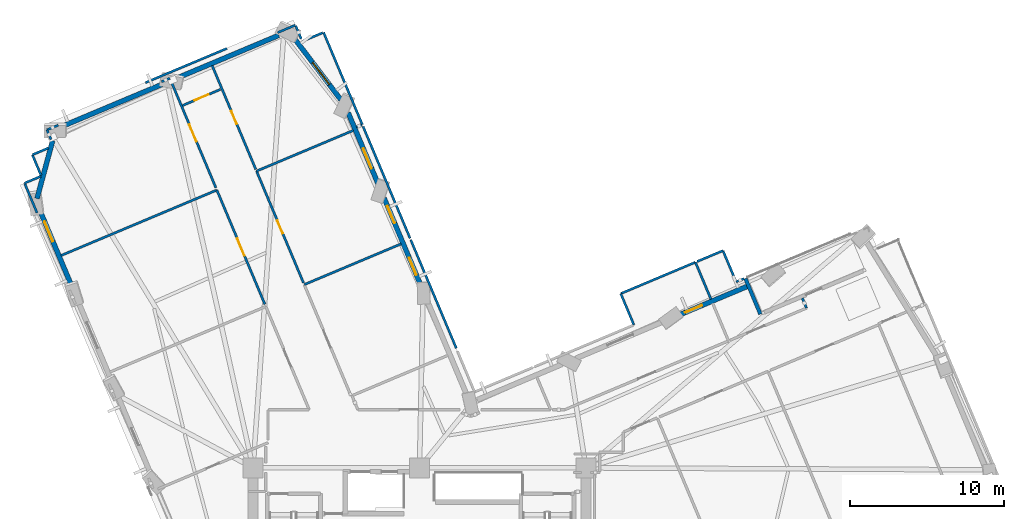
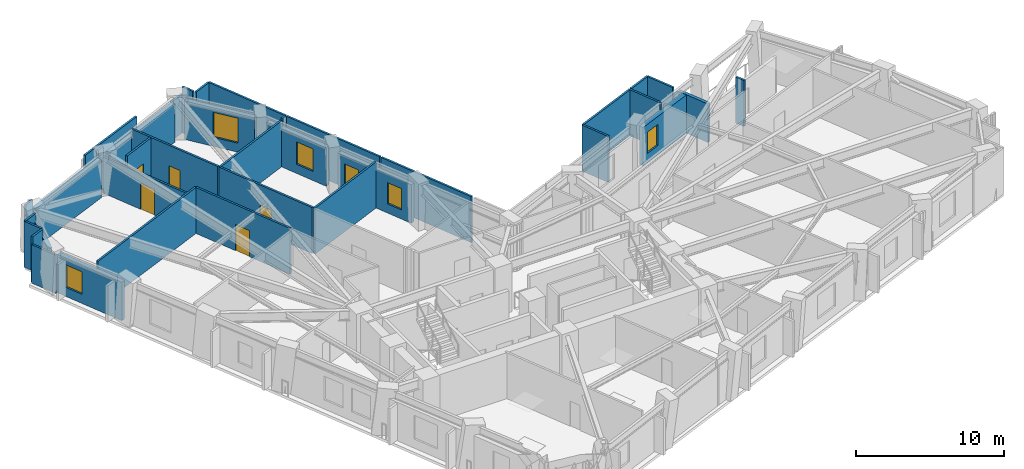
# One storey, part 13 of 18: 39 walls, 6 windows, 5 doors, 11 openings.
"""IFC4 building model written with IfcOpenShell, lengths in metres."""

from ifc_helpers import new_model, si_unit, direction, frame, frame_2d, origin, place, context, subcontext, project, spatial, rectangle, extrude, material, layer, layer_set, type_object, element, fill, save


model = new_model("IFC4")

# Units and contexts
model_context = context("Model", 3, precision=1e-05, world=origin(), true_north=direction((0.0, 1.0)))
body_context = subcontext(model_context, "Body", "Model", "MODEL_VIEW")
ifc_project = project(units=[si_unit("LENGTHUNIT", "METRE"), si_unit("AREAUNIT", "SQUARE_METRE"), si_unit("VOLUMEUNIT", "CUBIC_METRE"), si_unit("PLANEANGLEUNIT", "RADIAN"), si_unit("MASSUNIT", "GRAM", prefix="KILO")], contexts=[model_context])

# Site, building, storey
site_placement = place(None, origin())
site = spatial("IfcSite", under=ifc_project, at=site_placement, CompositionType="ELEMENT")
building_placement = place(site_placement, origin())
building = spatial("IfcBuilding", under=site, at=building_placement, Name="Gaonmaruhae Medical Tower", CompositionType="ELEMENT")
storey_placement = place(building_placement, frame((0.0, 0.0, 120.39990234375)))
storey = spatial("IfcBuildingStorey", under=building, at=storey_placement, Name="L28", CompositionType="ELEMENT", Elevation=120.39990234375)

# Wall
ifc_material_1 = material(Name="Precast concrete C45/55", Category="concrete")
ifc_layer_1 = layer(ifc_material_1, 0.239990234375)
ifc_layer_set_1 = layer_set([ifc_layer_1], Name="Precast concrete C45/55")
wall_type_1 = type_object("IfcWallType", Name="EW-240 Ribbon & Shelter Insulated Precast Wall", PredefinedType="SOLIDWALL", material=ifc_layer_set_1)
wall_1_placement = place(storey_placement, frame((45.9521484375, 29.081298828125, 0.0), z_axis=(0.0, 0.0, 1.0), x_axis=(0.387498107924, -0.92187049869, 0.0)))
element("IfcWall", 1, at=wall_1_placement, inside=storey, type_object=wall_type_1, Name="L28 Recessed Terrace Enclosure Wall TERL", PredefinedType="SOLIDWALL", context=body_context, shape_type="SweptSolid", body=[
    extrude(rectangle(XDim=2.5, YDim=0.239990234375, at=frame_2d((1.25, 0.0))), origin(), (0.0, 0.0, 1.0), 3.1650390625),
])

# Wall, opening, window
ifc_layer_2 = layer(ifc_material_1, 0.320068359375)
ifc_layer_set_2 = layer_set([ifc_layer_2], Name="Precast concrete C45/55")
wall_type_2 = type_object("IfcWallType", Name="EW-320 Lower Precast Masonry-Frame Facade Wall", PredefinedType="SOLIDWALL", material=ifc_layer_set_2)
wall_2_placement = place(storey_placement, frame((41.593017578125, 26.695556640625, 0.0), z_axis=(0.0, 0.0, 1.0), x_axis=(0.921864853688, 0.387511537292, 0.0)))
wall_2 = element("IfcWall", 2, at=wall_2_placement, inside=storey, type_object=wall_type_2, Name="L28 Precast Masonry-Frame Wall EN01-EN02", PredefinedType="SOLIDWALL", context=body_context, shape_type="SweptSolid", body=[
    extrude(rectangle(XDim=4.923095703125, YDim=0.320068359375, at=frame_2d((2.46142578125, 0.0))), origin(), (0.0, 0.0, 1.0), 3.14501953125),
])
opening_1_placement = place(wall_2_placement, frame((0.4765625, 0.0, 0.75)))
opening_1 = element("IfcOpeningElement", 3, at=opening_1_placement, cuts=wall_2, Name="Opening WN-05", PredefinedType="OPENING", context=body_context, shape_type="SweptSolid", body=[
    extrude(rectangle(XDim=1.199951171875, YDim=1.75, at=frame_2d((0.60009765625, 0.875))), frame((0.0, 0.169921875, 0.0), z_axis=(0.0, -1.0, 0.0), x_axis=(1.0, 0.0, 0.0)), (0.0, 0.0, 1.0), 0.340087890625),
])
ifc_material_2 = material(Name="Anodised aluminium and Low-E double glazing", Category="aluminium")
window_type_1 = type_object("IfcWindowType", Name="WN-05 Support & Staff Punched Window 1200x1750", PartitioningType="SINGLE_PANEL", PredefinedType="WINDOW", material=ifc_material_2)
window_1_placement = place(opening_1_placement, origin())
window_1 = element("IfcWindow", 4, at=window_1_placement, inside=storey, type_object=window_type_1, Name="L28 Modular Facade Window EN01", OverallHeight=1.75, OverallWidth=1.199951171875, PartitioningType="SINGLE_PANEL", PredefinedType="WINDOW", context=body_context, shape_type="SweptSolid", body=[
    extrude(rectangle(XDim=1.199951171875, YDim=1.75, at=frame_2d((0.60009765625, 0.875))), frame((0.0, 0.030029296875, 0.0), z_axis=(0.0, -1.0, 0.0), x_axis=(1.0, 0.0, 0.0)), (0.0, 0.0, 1.0), 0.06005859375),
])
fill(opening_1, window_1)

# Wall, openings, windows
wall_3_placement = place(storey_placement, frame((22.500244140625, 34.302490234375, 0.0), z_axis=(0.0, 0.0, 1.0), x_axis=(0.387521956869, -0.921860473686, 0.0)))
wall_3 = element("IfcWall", 5, at=wall_3_placement, inside=storey, type_object=wall_type_2, Name="L28 Precast Masonry-Frame Wall NE01-NE02", PredefinedType="SOLIDWALL", context=body_context, shape_type="SweptSolid", body=[
    extrude(rectangle(XDim=6.22265625, YDim=0.320068359375, at=frame_2d((3.111328125, 0.0))), origin(), (0.0, 0.0, 1.0), 3.1650390625),
])
opening_2_placement = place(wall_3_placement, frame((4.198974609375, 0.0, 0.75)))
opening_2 = element("IfcOpeningElement", 6, at=opening_2_placement, cuts=wall_3, Name="Opening WN-05", PredefinedType="OPENING", context=body_context, shape_type="SweptSolid", body=[
    extrude(rectangle(XDim=1.199951171875, YDim=1.75, at=frame_2d((0.60009765625, 0.875))), frame((0.0, 0.169921875, 0.0), z_axis=(0.0, -1.0, 0.0), x_axis=(1.0, 0.0, 0.0)), (0.0, 0.0, 1.0), 0.340087890625),
])
opening_3_placement = place(wall_3_placement, frame((0.561279296875, 0.0, 0.75)))
opening_3 = element("IfcOpeningElement", 7, at=opening_3_placement, cuts=wall_3, Name="Opening WN-05", PredefinedType="OPENING", context=body_context, shape_type="SweptSolid", body=[
    extrude(rectangle(XDim=1.199951171875, YDim=1.75, at=frame_2d((0.60009765625, 0.875))), frame((0.0, 0.169921875, 0.0), z_axis=(0.0, -1.0, 0.0), x_axis=(1.0, 0.0, 0.0)), (0.0, 0.0, 1.0), 0.340087890625),
])
window_2_placement = place(opening_2_placement, origin())
window_2 = element("IfcWindow", 8, at=window_2_placement, inside=storey, type_object=window_type_1, Name="L28 Modular Facade Window NE01", OverallHeight=1.75, OverallWidth=1.199951171875, PartitioningType="SINGLE_PANEL", PredefinedType="WINDOW", context=body_context, shape_type="SweptSolid", body=[
    extrude(rectangle(XDim=1.199951171875, YDim=1.75, at=frame_2d((0.60009765625, 0.875))), frame((0.0, 0.030029296875, 0.0), z_axis=(0.0, -1.0, 0.0), x_axis=(1.0, 0.0, 0.0)), (0.0, 0.0, 1.0), 0.06005859375),
])
fill(opening_2, window_2)
window_3_placement = place(opening_3_placement, origin())
window_3 = element("IfcWindow", 9, at=window_3_placement, inside=storey, type_object=window_type_1, Name="L28 Modular Facade Window NE01B", OverallHeight=1.75, OverallWidth=1.199951171875, PartitioningType="SINGLE_PANEL", PredefinedType="WINDOW", context=body_context, shape_type="SweptSolid", body=[
    extrude(rectangle(XDim=1.199951171875, YDim=1.75, at=frame_2d((0.60009765625, 0.875))), frame((0.0, 0.030029296875, 0.0), z_axis=(0.0, -1.0, 0.0), x_axis=(1.0, 0.0, 0.0)), (0.0, 0.0, 1.0), 0.06005859375),
])
fill(opening_3, window_3)

# Wall, opening, window
wall_4_placement = place(storey_placement, frame((20.169921875, 39.8466796875, 0.0), z_axis=(0.0, 0.0, 1.0), x_axis=(0.387505493495, -0.921867394212, 0.0)))
wall_4 = element("IfcWall", 10, at=wall_4_placement, inside=storey, type_object=wall_type_2, Name="L28 Precast Masonry-Frame Wall NE02-NE03", PredefinedType="SOLIDWALL", context=body_context, shape_type="SweptSolid", body=[
    extrude(rectangle(XDim=5.047119140625, YDim=0.320068359375, at=frame_2d((2.5234375, 0.0))), origin(), (0.0, 0.0, 1.0), 3.1650390625),
])
opening_4_placement = place(wall_4_placement, frame((2.5205078125, 0.0, 0.75)))
opening_4 = element("IfcOpeningElement", 11, at=opening_4_placement, cuts=wall_4, Name="Opening WN-03", PredefinedType="OPENING", context=body_context, shape_type="SweptSolid", body=[
    extrude(rectangle(XDim=1.39990234375, YDim=1.85009765625, at=frame_2d((0.699951171875, 0.925048828125))), frame((0.0, 0.169921875, 0.0), z_axis=(0.0, -1.0, 0.0), x_axis=(1.0, 0.0, 0.0)), (0.0, 0.0, 1.0), 0.340087890625),
])
window_type_2 = type_object("IfcWindowType", Name="WN-03 Isolation Ward Punched Window 1400x1850", PartitioningType="SINGLE_PANEL", PredefinedType="WINDOW", material=ifc_material_2)
window_4_placement = place(opening_4_placement, origin())
window_4 = element("IfcWindow", 12, at=window_4_placement, inside=storey, type_object=window_type_2, Name="L28 Modular Facade Window NE02", OverallHeight=1.85009765625, OverallWidth=1.39990234375, PartitioningType="SINGLE_PANEL", PredefinedType="WINDOW", context=body_context, shape_type="SweptSolid", body=[
    extrude(rectangle(XDim=1.39990234375, YDim=1.85009765625, at=frame_2d((0.699951171875, 0.925048828125))), frame((0.0, 0.030029296875, 0.0), z_axis=(0.0, -1.0, 0.0), x_axis=(1.0, 0.0, 0.0)), (0.0, 0.0, 1.0), 0.06005859375),
])
fill(opening_4, window_4)

wall_5_placement = place(storey_placement, frame((16.59375, 44.776611328125, 0.0), z_axis=(0.0, 0.0, 1.0), x_axis=(0.604347929442, -0.796720515726, 0.0)))
wall_5 = element("IfcWall", 13, at=wall_5_placement, inside=storey, type_object=wall_type_2, Name="L28 Precast Masonry-Frame Wall NE03-N01", PredefinedType="SOLIDWALL", context=body_context, shape_type="SweptSolid", body=[
    extrude(rectangle(XDim=5.12841796875, YDim=0.320068359375, at=frame_2d((2.564208984375, 0.0))), origin(), (0.0, 0.0, 1.0), 3.1650390625),
])
opening_5_placement = place(wall_5_placement, frame((2.093505859375, 0.0, 0.75)))
opening_5 = element("IfcOpeningElement", 14, at=opening_5_placement, cuts=wall_5, Name="Opening WN-04", PredefinedType="OPENING", context=body_context, shape_type="SweptSolid", body=[
    extrude(rectangle(XDim=1.800048828125, YDim=2.050048828125, at=frame_2d((0.89990234375, 1.02490234375))), frame((0.0, 0.169921875, 0.0), z_axis=(0.0, -1.0, 0.0), x_axis=(1.0, 0.0, 0.0)), (0.0, 0.0, 1.0), 0.340087890625),
])
window_type_3 = type_object("IfcWindowType", Name="WN-04 Clinic & Consult Punched Window 1800x2050", PartitioningType="SINGLE_PANEL", PredefinedType="WINDOW", material=ifc_material_2)
window_5_placement = place(opening_5_placement, origin())
window_5 = element("IfcWindow", 15, at=window_5_placement, inside=storey, type_object=window_type_3, Name="L28 Modular Facade Window NE03", OverallHeight=2.050048828125, OverallWidth=1.800048828125, PartitioningType="SINGLE_PANEL", PredefinedType="WINDOW", context=body_context, shape_type="SweptSolid", body=[
    extrude(rectangle(XDim=1.800048828125, YDim=2.050048828125, at=frame_2d((0.89990234375, 1.02490234375))), frame((0.0, 0.030029296875, 0.0), z_axis=(0.0, -1.0, 0.0), x_axis=(1.0, 0.0, 0.0)), (0.0, 0.0, 1.0), 0.06005859375),
])
fill(opening_5, window_5)

# Walls
wall_6_placement = place(storey_placement, frame((9.00390625, 42.06787109375, 0.0), z_axis=(0.0, 0.0, 1.0), x_axis=(0.921864651892, 0.387512017352, 0.0)))
element("IfcWall", 16, at=wall_6_placement, inside=storey, type_object=wall_type_2, Name="L28 Precast Masonry-Frame Wall N01-N02", PredefinedType="SOLIDWALL", context=body_context, shape_type="SweptSolid", body=[
    extrude(rectangle(XDim=7.230712890625, YDim=0.320068359375, at=frame_2d((3.615234375, 0.0))), origin(), (0.0, 0.0, 1.0), 3.1650390625),
])
wall_7_placement = place(storey_placement, frame((1.422119140625, 38.880859375, 0.0), z_axis=(0.0, 0.0, 1.0), x_axis=(0.921872247249, 0.387493948019, 0.0)))
element("IfcWall", 17, at=wall_7_placement, inside=storey, type_object=wall_type_2, Name="L28 Precast Masonry-Frame Wall N02-N03", PredefinedType="SOLIDWALL", context=body_context, shape_type="SweptSolid", body=[
    extrude(rectangle(XDim=7.270263671875, YDim=0.320068359375, at=frame_2d((3.63525390625, 0.0))), origin(), (0.0, 0.0, 1.0), 3.1650390625),
])
wall_8_placement = place(storey_placement, frame((-0.021484375, 34.2744140625, 0.0), z_axis=(0.0, 0.0, 1.0), x_axis=(0.260923253486, 0.965359547418, 0.0)))
element("IfcWall", 18, at=wall_8_placement, inside=storey, type_object=wall_type_2, Name="L28 Precast Masonry-Frame Wall N03-W01", PredefinedType="SOLIDWALL", context=body_context, shape_type="SweptSolid", body=[
    extrude(rectangle(XDim=3.8896484375, YDim=0.320068359375, at=frame_2d((1.94482421875, 0.0))), origin(), (0.0, 0.0, 1.0), 3.1650390625),
])

# Wall, opening, window
wall_9_placement = place(storey_placement, frame((2.306884765625, 28.4072265625, 0.0), z_axis=(0.0, 0.0, 1.0), x_axis=(-0.387498752524, 0.921870227739, 0.0)))
wall_9 = element("IfcWall", 19, at=wall_9_placement, inside=storey, type_object=wall_type_2, Name="L28 Precast Masonry-Frame Wall W01-W02", PredefinedType="SOLIDWALL", context=body_context, shape_type="SweptSolid", body=[
    extrude(rectangle(XDim=5.45556640625, YDim=0.320068359375, at=frame_2d((2.727783203125, 0.0))), origin(), (0.0, 0.0, 1.0), 3.1650390625),
])
opening_6_placement = place(wall_9_placement, frame((3.353759765625, 0.0, 0.75)))
opening_6 = element("IfcOpeningElement", 20, at=opening_6_placement, cuts=wall_9, Name="Opening WN-03", PredefinedType="OPENING", context=body_context, shape_type="SweptSolid", body=[
    extrude(rectangle(XDim=1.39990234375, YDim=1.85009765625, at=frame_2d((0.699951171875, 0.925048828125))), frame((0.0, 0.169921875, 0.0), z_axis=(0.0, -1.0, 0.0), x_axis=(1.0, 0.0, 0.0)), (0.0, 0.0, 1.0), 0.340087890625),
])
window_6_placement = place(opening_6_placement, origin())
window_6 = element("IfcWindow", 21, at=window_6_placement, inside=storey, type_object=window_type_2, Name="L28 Modular Facade Window W01", OverallHeight=1.85009765625, OverallWidth=1.39990234375, PartitioningType="SINGLE_PANEL", PredefinedType="WINDOW", context=body_context, shape_type="SweptSolid", body=[
    extrude(rectangle(XDim=1.39990234375, YDim=1.85009765625, at=frame_2d((0.699951171875, 0.925048828125))), frame((0.0, 0.030029296875, 0.0), z_axis=(0.0, -1.0, 0.0), x_axis=(1.0, 0.0, 0.0)), (0.0, 0.0, 1.0), 0.06005859375),
])
fill(opening_6, window_6)

# Wall
ifc_material_3 = material(Name="Gypsum board partition", Category="gypsum")
ifc_layer_3 = layer(ifc_material_3, 0.14990234375)
ifc_layer_set_3 = layer_set([ifc_layer_3], Name="Gypsum board partition")
wall_type_3 = type_object("IfcWallType", Name="PW-150 Rated Clinical Corridor Partition", PredefinedType="PARTITIONING", material=ifc_layer_set_3)
wall_10_placement = place(storey_placement, frame((1.541015625, 30.5791015625, 0.0), z_axis=(0.0, 0.0, 1.0), x_axis=(0.921901315363, 0.387424785904, 0.0)))
element("IfcWall", 22, at=wall_10_placement, inside=storey, type_object=wall_type_3, Name="L28 Interior Partition L28-WOF09-49", PredefinedType="PARTITIONING", context=body_context, shape_type="SweptSolid", body=[
    extrude(rectangle(XDim=10.964111328125, YDim=0.14990234375, at=frame_2d((5.48193359375, 0.0))), origin(), (0.0, 0.0, 1.0), 3.780029296875),
])

# Wall, opening, door
wall_11_placement = place(storey_placement, frame((11.64892578125, 34.826904296875, 0.0), z_axis=(0.0, 0.0, 1.0), x_axis=(0.387547881375, -0.921849575387, 0.0)))
wall_11 = element("IfcWall", 23, at=wall_11_placement, inside=storey, type_object=wall_type_3, Name="L28 Interior Partition L28-WOF09-50", PredefinedType="PARTITIONING", context=body_context, shape_type="SweptSolid", body=[
    extrude(rectangle(XDim=8.040283203125, YDim=0.14990234375, at=frame_2d((4.02001953125, 0.0))), origin(), (0.0, 0.0, 1.0), 3.780029296875),
])
opening_7_placement = place(wall_11_placement, frame((3.420166015625, 0.0, 0.0)))
opening_7 = element("IfcOpeningElement", 24, at=opening_7_placement, cuts=wall_11, Name="Opening CD-02", PredefinedType="OPENING", context=body_context, shape_type="SweptSolid", body=[
    extrude(rectangle(XDim=1.199951171875, YDim=2.14990234375, at=frame_2d((0.60009765625, 1.074951171875))), frame((0.0, 0.0849609375, 0.0), z_axis=(0.0, -1.0, 0.0), x_axis=(1.0, 0.0, 0.0)), (0.0, 0.0, 1.0), 0.169921875),
])
ifc_material_4 = material(Name="Antimicrobial laminate timber fire door", Category="wood")
door_type_1 = type_object("IfcDoorType", Name="CD-02 Clinical Treatment & Procedure Door 1200x2150", OperationType="NOTDEFINED", PredefinedType="DOOR", material=ifc_material_4)
door_1_placement = place(opening_7_placement, origin())
door_1 = element("IfcDoor", 25, at=door_1_placement, inside=storey, type_object=door_type_1, Name="L28 Ward Physician Reporting Office Door", OperationType="SINGLE_SWING_RIGHT", OverallHeight=2.14990234375, OverallWidth=1.199951171875, PredefinedType="DOOR", context=body_context, shape_type="SweptSolid", body=[
    extrude(rectangle(XDim=1.199951171875, YDim=2.14990234375, at=frame_2d((0.60009765625, 1.074951171875))), frame((0.0, 0.02490234375, 0.0), z_axis=(0.0, -1.0, 0.0), x_axis=(1.0, 0.0, 0.0)), (0.0, 0.0, 1.0), 0.050048828125),
])
fill(opening_7, door_1)

# Walls
wall_12_placement = place(storey_placement, frame((-0.323974609375, 37.115966796875, 0.0), z_axis=(0.0, 0.0, 1.0), x_axis=(0.921631341525, 0.388066579749, 0.0)))
element("IfcWall", 26, at=wall_12_placement, inside=storey, type_object=wall_type_3, Name="L28 Interior Partition L28-WOF10-52", PredefinedType="PARTITIONING", context=body_context, shape_type="SweptSolid", body=[
    extrude(rectangle(XDim=1.139404296875, YDim=0.14990234375, at=frame_2d((0.56982421875, 0.0))), origin(), (0.0, 0.0, 1.0), 3.780029296875),
])
wall_13_placement = place(storey_placement, frame((0.885986328125, 38.110107421875, 0.0), z_axis=(0.0, 0.0, 1.0), x_axis=(-0.388040772023, 0.921642207827, 0.0)))
element("IfcWall", 27, at=wall_13_placement, inside=storey, type_object=wall_type_3, Name="L28 Interior Partition L28-WOF10-53", PredefinedType="PARTITIONING", context=body_context, shape_type="SweptSolid", body=[
    extrude(rectangle(XDim=0.672607421875, YDim=0.14990234375, at=frame_2d((0.33642578125, 0.0))), origin(), (0.0, 0.0, 1.0), 2.965087890625),
])
wall_14_placement = place(storey_placement, frame((0.625, 38.72998046875, 0.0), z_axis=(0.0, 0.0, 1.0), x_axis=(0.92192492909, 0.38736859078, 0.0)))
element("IfcWall", 28, at=wall_14_placement, inside=storey, type_object=wall_type_3, Name="L28 Interior Partition L28-WOF10-54", PredefinedType="PARTITIONING", context=body_context, shape_type="SweptSolid", body=[
    extrude(rectangle(XDim=0.79296875, YDim=0.14990234375, at=frame_2d((0.396484375, 0.0))), origin(), (0.0, 0.0, 1.0), 3.780029296875),
])
wall_15_placement = place(storey_placement, frame((8.05810546875, 41.85498046875, 0.0), z_axis=(0.0, 0.0, 1.0), x_axis=(0.922089032522, 0.386977797945, 0.0)))
element("IfcWall", 29, at=wall_15_placement, inside=storey, type_object=wall_type_3, Name="L28 Interior Partition L28-WOF10-55", PredefinedType="PARTITIONING", context=body_context, shape_type="SweptSolid", body=[
    extrude(rectangle(XDim=0.586669921875, YDim=0.14990234375, at=frame_2d((0.29345703125, 0.0))), origin(), (0.0, 0.0, 1.0), 3.780029296875),
])

# Wall, opening, door
wall_16_placement = place(storey_placement, frame((8.59912109375, 42.08203125, 0.0), z_axis=(0.0, 0.0, 1.0), x_axis=(0.387550108115, -0.921848639257, 0.0)))
wall_16 = element("IfcWall", 30, at=wall_16_placement, inside=storey, type_object=wall_type_3, Name="L28 Interior Partition L28-WOF10-56", PredefinedType="PARTITIONING", context=body_context, shape_type="SweptSolid", body=[
    extrude(rectangle(XDim=7.70947265625, YDim=0.14990234375, at=frame_2d((3.854736328125, 0.0))), origin(), (0.0, 0.0, 1.0), 2.965087890625),
])
opening_8_placement = place(wall_16_placement, frame((3.2548828125, 0.0, 0.0)))
opening_8 = element("IfcOpeningElement", 31, at=opening_8_placement, cuts=wall_16, Name="Opening CD-02", PredefinedType="OPENING", context=body_context, shape_type="SweptSolid", body=[
    extrude(rectangle(XDim=1.199951171875, YDim=2.14990234375, at=frame_2d((0.60009765625, 1.074951171875))), frame((0.0, 0.0849609375, 0.0), z_axis=(0.0, -1.0, 0.0), x_axis=(1.0, 0.0, 0.0)), (0.0, 0.0, 1.0), 0.169921875),
])
door_2_placement = place(opening_8_placement, origin())
door_2 = element("IfcDoor", 32, at=door_2_placement, inside=storey, type_object=door_type_1, Name="L28 Ward Physician Reporting Office Door", OperationType="SINGLE_SWING_RIGHT", OverallHeight=2.14990234375, OverallWidth=1.199951171875, PredefinedType="DOOR", context=body_context, shape_type="SweptSolid", body=[
    extrude(rectangle(XDim=1.199951171875, YDim=2.14990234375, at=frame_2d((0.60009765625, 1.074951171875))), frame((0.0, 0.02490234375, 0.0), z_axis=(0.0, -1.0, 0.0), x_axis=(1.0, 0.0, 0.0)), (0.0, 0.0, 1.0), 0.050048828125),
])
fill(opening_8, door_2)

# Walls
wall_17_placement = place(storey_placement, frame((-0.01904296875, 33.346923828125, 0.0), z_axis=(0.0, 0.0, 1.0), x_axis=(-0.387587512706, 0.921832913273, 0.0)))
element("IfcWall", 33, at=wall_17_placement, inside=storey, type_object=wall_type_3, Name="L28 Interior Partition L28-WOF10-57", PredefinedType="PARTITIONING", context=body_context, shape_type="SweptSolid", body=[
    extrude(rectangle(XDim=2.092529296875, YDim=0.14990234375, at=frame_2d((1.04638671875, 0.0))), origin(), (0.0, 0.0, 1.0), 3.1650390625),
])
wall_18_placement = place(storey_placement, frame((-0.830078125, 35.27587890625, 0.0), z_axis=(0.0, 0.0, 1.0), x_axis=(0.921727254791, 0.387838713612, 0.0)))
element("IfcWall", 34, at=wall_18_placement, inside=storey, type_object=wall_type_3, Name="L28 Interior Partition L28-WOF10-58", PredefinedType="PARTITIONING", context=body_context, shape_type="SweptSolid", body=[
    extrude(rectangle(XDim=1.150146484375, YDim=0.14990234375, at=frame_2d((0.5751953125, 0.0))), origin(), (0.0, 0.0, 1.0), 3.780029296875),
])
wall_19_placement = place(storey_placement, frame((0.242919921875, 35.77001953125, 0.0), z_axis=(0.0, 0.0, 1.0), x_axis=(-0.388161624393, 0.921591315795, 0.0)))
element("IfcWall", 35, at=wall_19_placement, inside=storey, type_object=wall_type_3, Name="L28 Interior Partition L28-WOF10-59", PredefinedType="PARTITIONING", context=body_context, shape_type="SweptSolid", body=[
    extrude(rectangle(XDim=1.46044921875, YDim=0.14990234375, at=frame_2d((0.730224609375, 0.0))), origin(), (0.0, 0.0, 1.0), 3.780029296875),
])
wall_20_placement = place(storey_placement, frame((38.708984375, 26.080078125, 0.0), z_axis=(0.0, 0.0, 1.0), x_axis=(-0.387372119847, 0.921923446261, 0.0)))
element("IfcWall", 36, at=wall_20_placement, inside=storey, type_object=wall_type_3, Name="L28 Interior Partition L28-IE02-70", PredefinedType="PARTITIONING", context=body_context, shape_type="SweptSolid", body=[
    extrude(rectangle(XDim=2.199462890625, YDim=0.14990234375, at=frame_2d((1.099609375, 0.0))), origin(), (0.0, 0.0, 1.0), 3.780029296875),
])
wall_21_placement = place(storey_placement, frame((37.85693359375, 28.10791015625, 0.0), z_axis=(0.0, 0.0, 1.0), x_axis=(0.921827538147, 0.387600296587, 0.0)))
element("IfcWall", 37, at=wall_21_placement, inside=storey, type_object=wall_type_3, Name="L28 Interior Partition L28-IE02-71", PredefinedType="PARTITIONING", context=body_context, shape_type="SweptSolid", body=[
    extrude(rectangle(XDim=5.25830078125, YDim=0.14990234375, at=frame_2d((2.629150390625, 0.0))), origin(), (0.0, 0.0, 1.0), 3.780029296875),
])
wall_22_placement = place(storey_placement, frame((42.7041015625, 30.14599609375, 0.0), z_axis=(0.0, 0.0, 1.0), x_axis=(0.387351522541, -0.921932100529, 0.0)))
element("IfcWall", 38, at=wall_22_placement, inside=storey, type_object=wall_type_3, Name="L28 Interior Partition L28-IE02-72", PredefinedType="PARTITIONING", context=body_context, shape_type="SweptSolid", body=[
    extrude(rectangle(XDim=2.614990234375, YDim=0.14990234375, at=frame_2d((1.3076171875, 0.0))), origin(), (0.0, 0.0, 1.0), 3.780029296875),
])
wall_23_placement = place(storey_placement, frame((49.639892578125, 27.81689453125, 0.0), z_axis=(0.0, 0.0, 1.0), x_axis=(0.388691323375, -0.921368034573, 0.0)))
element("IfcWall", 39, at=wall_23_placement, inside=storey, type_object=wall_type_3, Name="L28 Interior Partition L28-IE03-76", PredefinedType="PARTITIONING", context=body_context, shape_type="SweptSolid", body=[
    extrude(rectangle(XDim=0.705322265625, YDim=0.14990234375, at=frame_2d((0.3525390625, 0.0))), origin(), (0.0, 0.0, 1.0), 3.780029296875),
])
wall_24_placement = place(storey_placement, frame((42.81396484375, 30.19189453125, 0.0), z_axis=(0.0, 0.0, 1.0), x_axis=(0.921887370227, 0.387457967548, 0.0)))
element("IfcWall", 40, at=wall_24_placement, inside=storey, type_object=wall_type_3, Name="L28 Interior Partition L28-IE03-78", PredefinedType="PARTITIONING", context=body_context, shape_type="SweptSolid", body=[
    extrude(rectangle(XDim=1.822265625, YDim=0.14990234375, at=frame_2d((0.9111328125, 0.0))), origin(), (0.0, 0.0, 1.0), 3.780029296875),
])
wall_25_placement = place(storey_placement, frame((44.493896484375, 30.89794921875, 0.0), z_axis=(0.0, 0.0, 1.0), x_axis=(0.387749379691, -0.921764839072, 0.0)))
element("IfcWall", 41, at=wall_25_placement, inside=storey, type_object=wall_type_3, Name="L28 Interior Partition L28-IE03-79", PredefinedType="PARTITIONING", context=body_context, shape_type="SweptSolid", body=[
    extrude(rectangle(XDim=2.199951171875, YDim=0.14990234375, at=frame_2d((1.10009765625, 0.0))), origin(), (0.0, 0.0, 1.0), 3.780029296875),
])
wall_26_placement = place(storey_placement, frame((45.346923828125, 28.8701171875, 0.0), z_axis=(0.0, 0.0, 1.0), x_axis=(0.921568929159, 0.388214771498, 0.0)))
element("IfcWall", 42, at=wall_26_placement, inside=storey, type_object=wall_type_3, Name="L28 Interior Partition L28-IE03-80", PredefinedType="PARTITIONING", context=body_context, shape_type="SweptSolid", body=[
    extrude(rectangle(XDim=0.553466796875, YDim=0.14990234375, at=frame_2d((0.27685546875, 0.0))), origin(), (0.0, 0.0, 1.0), 3.14501953125),
])
wall_27_placement = place(storey_placement, frame((17.320068359375, 28.68994140625, 0.0), z_axis=(0.0, 0.0, 1.0), x_axis=(0.921811932434, 0.387637409473, 0.0)))
element("IfcWall", 43, at=wall_27_placement, inside=storey, type_object=wall_type_3, Name="L28 Interior Partition L28-IN01-82", PredefinedType="PARTITIONING", context=body_context, shape_type="SweptSolid", body=[
    extrude(rectangle(XDim=6.81591796875, YDim=0.14990234375, at=frame_2d((3.407958984375, 0.0))), origin(), (0.0, 0.0, 1.0), 3.780029296875),
])
wall_28_placement = place(storey_placement, frame((24.23388671875, 31.596923828125, 0.0), z_axis=(0.0, 0.0, 1.0), x_axis=(0.387558072008, -0.921845291153, 0.0)))
element("IfcWall", 44, at=wall_28_placement, inside=storey, type_object=wall_type_3, Name="L28 Interior Partition L28-IN01-83", PredefinedType="PARTITIONING", context=body_context, shape_type="SweptSolid", body=[
    extrude(rectangle(XDim=7.635498046875, YDim=0.14990234375, at=frame_2d((3.81787109375, 0.0))), origin(), (0.0, 0.0, 1.0), 3.780029296875),
])

# Wall, opening, door
wall_29_placement = place(storey_placement, frame((17.27392578125, 28.801025390625, 0.0), z_axis=(0.0, 0.0, 1.0), x_axis=(-0.387529923364, 0.921857124775, 0.0)))
wall_29 = element("IfcWall", 45, at=wall_29_placement, inside=storey, type_object=wall_type_3, Name="L28 Interior Partition L28-IN02-84", PredefinedType="PARTITIONING", context=body_context, shape_type="SweptSolid", body=[
    extrude(rectangle(XDim=7.869873046875, YDim=0.14990234375, at=frame_2d((3.93505859375, 0.0))), origin(), (0.0, 0.0, 1.0), 3.780029296875),
])
opening_9_placement = place(wall_29_placement, frame((3.47509765625, 0.0, 0.0)))
opening_9 = element("IfcOpeningElement", 46, at=opening_9_placement, cuts=wall_29, Name="Opening UD-01", PredefinedType="OPENING", context=body_context, shape_type="SweptSolid", body=[
    extrude(rectangle(XDim=0.919921875, YDim=2.10009765625, at=frame_2d((0.4599609375, 1.050048828125))), frame((0.0, 0.0849609375, 0.0), z_axis=(0.0, -1.0, 0.0), x_axis=(1.0, 0.0, 0.0)), (0.0, 0.0, 1.0), 0.169921875),
])
ifc_material_5 = material(Name="Powder-coated steel utility door", Category="steel")
door_type_2 = type_object("IfcDoorType", Name="UD-01 Toilet, Utility & Housekeeping Door 920x2100", OperationType="NOTDEFINED", PredefinedType="DOOR", material=ifc_material_5)
door_3_placement = place(opening_9_placement, origin())
door_3 = element("IfcDoor", 47, at=door_3_placement, inside=storey, type_object=door_type_2, Name="L28 Ward Nutrition Pantry Door", OperationType="SINGLE_SWING_RIGHT", OverallHeight=2.10009765625, OverallWidth=0.919921875, PredefinedType="DOOR", context=body_context, shape_type="SweptSolid", body=[
    extrude(rectangle(XDim=0.919921875, YDim=2.10009765625, at=frame_2d((0.4599609375, 1.050048828125))), frame((0.0, 0.02490234375, 0.0), z_axis=(0.0, -1.0, 0.0), x_axis=(1.0, 0.0, 0.0)), (0.0, 0.0, 1.0), 0.050048828125),
])
fill(opening_9, door_3)

# Walls
wall_30_placement = place(storey_placement, frame((14.22412109375, 36.055908203125, 0.0), z_axis=(0.0, 0.0, 1.0), x_axis=(0.921863124429, 0.387515651062, 0.0)))
element("IfcWall", 48, at=wall_30_placement, inside=storey, type_object=wall_type_3, Name="L28 Interior Partition L28-IN02-85", PredefinedType="PARTITIONING", context=body_context, shape_type="SweptSolid", body=[
    extrude(rectangle(XDim=6.8154296875, YDim=0.14990234375, at=frame_2d((3.40771484375, 0.0))), origin(), (0.0, 0.0, 1.0), 3.780029296875),
])
wall_31_placement = place(storey_placement, frame((21.137939453125, 38.9619140625, 0.0), z_axis=(0.0, 0.0, 1.0), x_axis=(0.387556286233, -0.921846041919, 0.0)))
element("IfcWall", 49, at=wall_31_placement, inside=storey, type_object=wall_type_3, Name="L28 Interior Partition L28-IN02-86", PredefinedType="PARTITIONING", context=body_context, shape_type="SweptSolid", body=[
    extrude(rectangle(XDim=7.869873046875, YDim=0.14990234375, at=frame_2d((3.93505859375, 0.0))), origin(), (0.0, 0.0, 1.0), 3.780029296875),
])
wall_32_placement = place(storey_placement, frame((18.574951171875, 45.06103515625, 0.0), z_axis=(0.0, 0.0, 1.0), x_axis=(0.387509152275, -0.921865856241, 0.0)))
element("IfcWall", 50, at=wall_32_placement, inside=storey, type_object=wall_type_3, Name="L28 Interior Partition L28-IN03-87", PredefinedType="PARTITIONING", context=body_context, shape_type="SweptSolid", body=[
    extrude(rectangle(XDim=6.49560546875, YDim=0.14990234375, at=frame_2d((3.247802734375, 0.0))), origin(), (0.0, 0.0, 1.0), 3.780029296875),
])
wall_33_placement = place(storey_placement, frame((21.0458984375, 39.053955078125, 0.0), z_axis=(0.0, 0.0, 1.0), x_axis=(-0.921647946152, -0.388027142547, 0.0)))
element("IfcWall", 51, at=wall_33_placement, inside=storey, type_object=wall_type_3, Name="L28 Interior Partition L28-IN03-88", PredefinedType="PARTITIONING", context=body_context, shape_type="SweptSolid", body=[
    extrude(rectangle(XDim=0.365478515625, YDim=0.14990234375, at=frame_2d((0.1826171875, 0.0))), origin(), (0.0, 0.0, 1.0), 3.780029296875),
])

# Wall, opening, door
wall_34_placement = place(storey_placement, frame((14.177978515625, 36.1669921875, 0.0), z_axis=(0.0, 0.0, 1.0), x_axis=(-0.387585091444, 0.921833931297, 0.0)))
wall_34 = element("IfcWall", 52, at=wall_34_placement, inside=storey, type_object=wall_type_3, Name="L28 Interior Partition L28-IN03-89", PredefinedType="PARTITIONING", context=body_context, shape_type="SweptSolid", body=[
    extrude(rectangle(XDim=7.309326171875, YDim=0.14990234375, at=frame_2d((3.65478515625, 0.0))), origin(), (0.0, 0.0, 1.0), 3.780029296875),
])
opening_10_placement = place(wall_34_placement, frame((3.194580078125, 0.0, 0.0)))
opening_10 = element("IfcOpeningElement", 53, at=opening_10_placement, cuts=wall_34, Name="Opening UD-01", PredefinedType="OPENING", context=body_context, shape_type="SweptSolid", body=[
    extrude(rectangle(XDim=0.919921875, YDim=2.10009765625, at=frame_2d((0.4599609375, 1.050048828125))), frame((0.0, 0.0849609375, 0.0), z_axis=(0.0, -1.0, 0.0), x_axis=(1.0, 0.0, 0.0)), (0.0, 0.0, 1.0), 0.169921875),
])
door_4_placement = place(opening_10_placement, origin())
door_4 = element("IfcDoor", 54, at=door_4_placement, inside=storey, type_object=door_type_2, Name="L28 Public Visitor Toilet Door", OperationType="SINGLE_SWING_RIGHT", OverallHeight=2.10009765625, OverallWidth=0.919921875, PredefinedType="DOOR", context=body_context, shape_type="SweptSolid", body=[
    extrude(rectangle(XDim=0.919921875, YDim=2.10009765625, at=frame_2d((0.4599609375, 1.050048828125))), frame((0.0, 0.02490234375, 0.0), z_axis=(0.0, -1.0, 0.0), x_axis=(1.0, 0.0, 0.0)), (0.0, 0.0, 1.0), 0.050048828125),
])
fill(opening_10, door_4)

# Walls
wall_35_placement = place(storey_placement, frame((15.595947265625, 45.044921875, 0.0), z_axis=(0.0, 0.0, 1.0), x_axis=(0.92186648398, 0.38750765891, 0.0)))
element("IfcWall", 55, at=wall_35_placement, inside=storey, type_object=wall_type_3, Name="L28 Interior Partition L28-IN03-90", PredefinedType="PARTITIONING", context=body_context, shape_type="SweptSolid", body=[
    extrude(rectangle(XDim=1.251953125, YDim=0.14990234375, at=frame_2d((0.6259765625, 0.0))), origin(), (0.0, 0.0, 1.0), 3.1650390625),
])
wall_36_placement = place(storey_placement, frame((16.76904296875, 45.48388671875, 0.0), z_axis=(0.0, 0.0, 1.0), x_axis=(0.387699355128, -0.921785880795, 0.0)))
element("IfcWall", 56, at=wall_36_placement, inside=storey, type_object=wall_type_3, Name="L28 Interior Partition L28-IN03-91", PredefinedType="PARTITIONING", context=body_context, shape_type="SweptSolid", body=[
    extrude(rectangle(XDim=0.91552734375, YDim=0.14990234375, at=frame_2d((0.457763671875, 0.0))), origin(), (0.0, 0.0, 1.0), 3.780029296875),
])
wall_37_placement = place(storey_placement, frame((17.19189453125, 44.47900390625, 0.0), z_axis=(0.0, 0.0, 1.0), x_axis=(0.921641710071, 0.388041954249, 0.0)))
element("IfcWall", 57, at=wall_37_placement, inside=storey, type_object=wall_type_3, Name="L28 Interior Partition L28-IN03-92", PredefinedType="PARTITIONING", context=body_context, shape_type="SweptSolid", body=[
    extrude(rectangle(XDim=1.450927734375, YDim=0.14990234375, at=frame_2d((0.7255859375, 0.0))), origin(), (0.0, 0.0, 1.0), 3.780029296875),
])
wall_38_placement = place(storey_placement, frame((7.01611328125, 41.797119140625, 0.0), z_axis=(0.0, 0.0, 1.0), x_axis=(0.921904949916, 0.387416137146, 0.0)))
element("IfcWall", 58, at=wall_38_placement, inside=storey, type_object=wall_type_3, Name="L28 Interior Partition L28-RM01-93", PredefinedType="PARTITIONING", context=body_context, shape_type="SweptSolid", body=[
    extrude(rectangle(XDim=5.740234375, YDim=0.14990234375, at=frame_2d((2.8701171875, 0.0))), origin(), (0.0, 0.0, 1.0), 3.780029296875),
])

# Wall, opening, door
wall_39_placement = place(storey_placement, frame((11.885986328125, 41.360107421875, 0.0), z_axis=(0.0, 0.0, 1.0), x_axis=(-0.919847133492, -0.392277008001, 0.0)))
wall_39 = element("IfcWall", 59, at=wall_39_placement, inside=storey, type_object=wall_type_3, Name="L28 Interior Partition L28-RM01-94", PredefinedType="PARTITIONING", context=body_context, shape_type="SweptSolid", body=[
    extrude(rectangle(XDim=2.67431640625, YDim=0.14990234375, at=frame_2d((1.337158203125, 0.0))), origin(), (0.0, 0.0, 1.0), 3.780029296875),
])
opening_11_placement = place(wall_39_placement, frame((0.837158203125, 0.0, 0.0)))
opening_11 = element("IfcOpeningElement", 60, at=opening_11_placement, cuts=wall_39, Name="Opening CD-01", PredefinedType="OPENING", context=body_context, shape_type="SweptSolid", body=[
    extrude(rectangle(XDim=1.0, YDim=2.1201171875, at=frame_2d((0.5, 1.06005859375))), frame((0.0, 0.0849609375, 0.0), z_axis=(0.0, -1.0, 0.0), x_axis=(1.0, 0.0, 0.0)), (0.0, 0.0, 1.0), 0.169921875),
])
door_type_3 = type_object("IfcDoorType", Name="CD-01 Consultation & Physician Office Door 1000x2120", OperationType="NOTDEFINED", PredefinedType="DOOR", material=ifc_material_4)
door_5_placement = place(opening_11_placement, origin())
door_5 = element("IfcDoor", 61, at=door_5_placement, inside=storey, type_object=door_type_3, Name="L28 Clinical Case Review Office Door", OperationType="SINGLE_SWING_LEFT", OverallHeight=2.1201171875, OverallWidth=1.0, PredefinedType="DOOR", context=body_context, shape_type="SweptSolid", body=[
    extrude(rectangle(XDim=1.0, YDim=2.1201171875, at=frame_2d((0.5, 1.06005859375))), frame((0.0, 0.02490234375, 0.0), z_axis=(0.0, -1.0, 0.0), x_axis=(1.0, 0.0, 0.0)), (0.0, 0.0, 1.0), 0.050048828125),
])
fill(opening_11, door_5)

save(model, "model.ifc")
